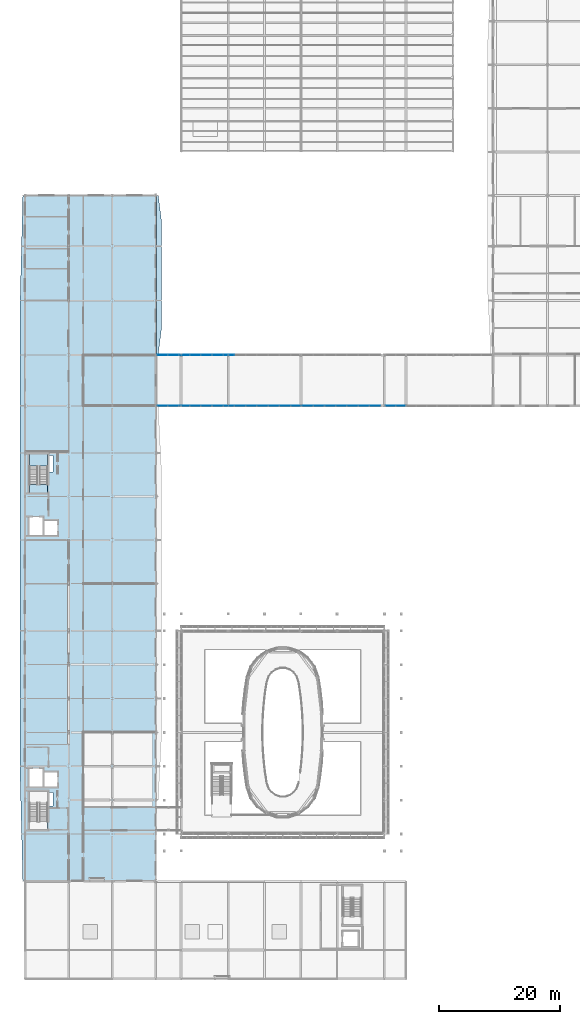
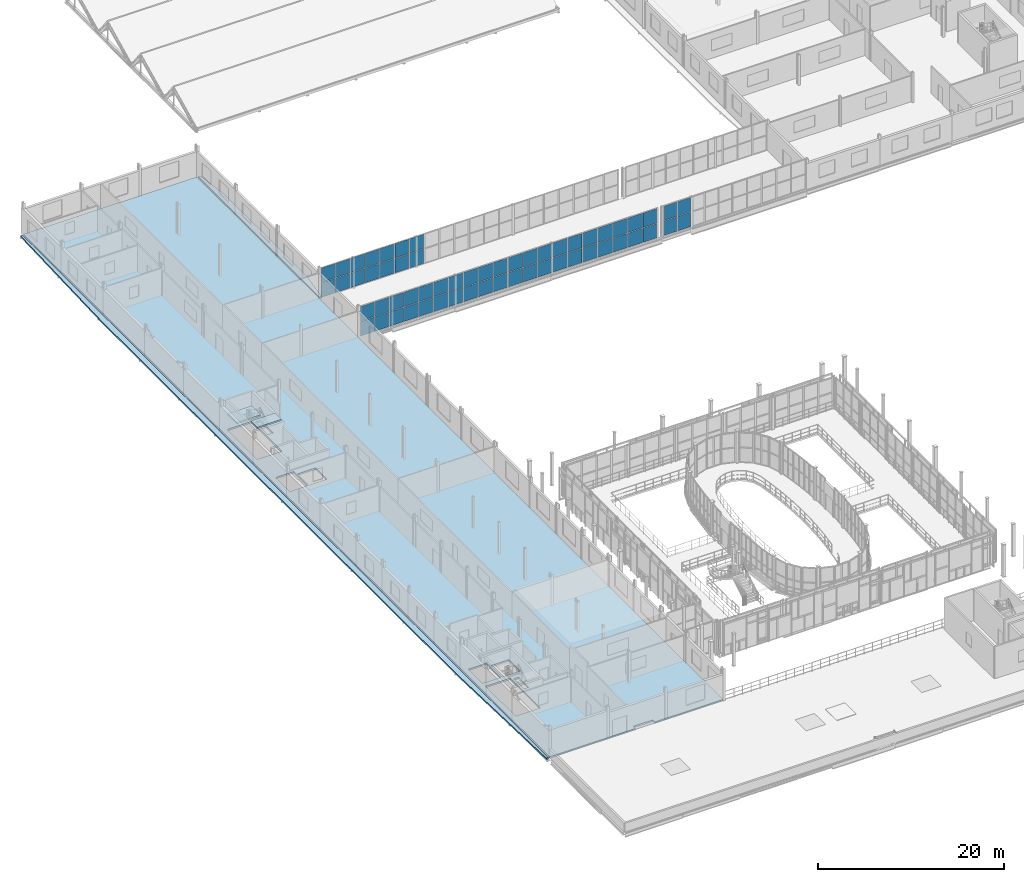
# One storey, part 101 of 138: 58 plates, 5 slabs, 8 elements without a shape of their own.
"""IFC4 building model written with IfcOpenShell, lengths in metres."""

from ifc_helpers import new_model, si_unit, direction, frame, origin, origin_2d, place, context, subcontext, project, spatial, polyline, rectangle, outline, extrude, material, layer, layer_set, type_object, element, aggregate, save


model = new_model("IFC4")

# Units and contexts
model_context = context("Model", 3, precision=1e-05, world=origin(), true_north=direction((0.0, 1.0)))
body_context = subcontext(model_context, "Body", "Model", "MODEL_VIEW")
ifc_project = project(units=[si_unit("LENGTHUNIT", "METRE"), si_unit("AREAUNIT", "SQUARE_METRE"), si_unit("VOLUMEUNIT", "CUBIC_METRE"), si_unit("PLANEANGLEUNIT", "RADIAN"), si_unit("MASSUNIT", "GRAM", prefix="KILO")], contexts=[model_context])

# Site, building, storey
site_placement = place(None, origin())
site = spatial("IfcSite", under=ifc_project, at=site_placement, CompositionType="ELEMENT")
building_placement = place(site_placement, origin())
building = spatial("IfcBuilding", under=site, at=building_placement, Name="Vinh Khe Railworks Police Headquarters", CompositionType="ELEMENT")
storey_placement = place(building_placement, frame((0.0, 0.0, 9.0)))
storey = spatial("IfcBuildingStorey", under=building, at=storey_placement, Name="L02", CompositionType="ELEMENT", Elevation=9.0)

# Slabs
ifc_material_1 = material(Name="Concrete C35/45 (B35)", Category="concrete")
ifc_layer_1 = layer(ifc_material_1, 0.199951171875)
ifc_layer_set_1 = layer_set([ifc_layer_1], Name="Concrete C35/45 (B35)")
slab_type_1 = type_object("IfcSlabType", Name="Flat Structural Roof Slab 200", PredefinedType="ROOF", material=ifc_layer_set_1)
slab_1_placement = place(storey_placement, frame((0.0, 0.0, -0.239990234375)))
element("IfcSlab", 1, at=slab_1_placement, inside=storey, type_object=slab_type_1, Name="Monsoon Window Eyebrow Hood V5W (L02)", PredefinedType="ROOF", context=body_context, shape_type="SweptSolid", body=[
    extrude(outline(polyline([(0.4599609375, 17.39990234375), (0.4599609375, 130.800048828125), (0.21142578125, 130.800048828125), (-0.25, 112.656005859375), (-0.25, 35.5439453125), (0.21142578125, 17.39990234375), (0.4599609375, 17.39990234375)])), origin(), (0.0, 0.0, 1.0), 0.199951171875),
])
slab_2_placement = place(storey_placement, frame((0.0, 0.0, -0.239990234375)))
element("IfcSlab", 2, at=slab_2_placement, inside=storey, type_object=slab_type_1, Name="Monsoon Window Eyebrow Hood V5E (L02)", PredefinedType="ROOF", context=body_context, shape_type="SweptSolid", body=[
    extrude(outline(polyline([(22.340087890625, 104.60009765625), (22.62353515625, 104.60009765625), (23.14990234375, 108.7919921875), (23.14990234375, 126.60791015625), (22.62353515625, 130.800048828125), (22.340087890625, 130.800048828125), (22.340087890625, 104.60009765625)])), origin(), (0.0, 0.0, 1.0), 0.199951171875),
])

# Curtain wall, plates
ifc_material_2 = material(Name="Anodised aluminium and solar-control glass", Category="aluminium")
ifc_layer_2 = layer(ifc_material_2, 0.159912109375)
ifc_layer_set_2 = layer_set([ifc_layer_2], Name="Anodised aluminium and solar-control glass")
curtain_wall_type = type_object("IfcCurtainWallType", Name="CW-SHOPFRONT", PredefinedType="USERDEFINED", material=ifc_layer_set_2)
curtain_wall_1_placement = place(storey_placement, origin())
curtain_wall_1 = element("IfcCurtainWall", 3, at=curtain_wall_1_placement, inside=storey, type_object=curtain_wall_type, Name="Link Bridge South Glazing L02 Bay 1", ObjectType="UNITISED GLAZING", PredefinedType="USERDEFINED")
ifc_material_3 = material(Name="Low-iron laminated solar-control glass", Category="glass")
ifc_layer_3 = layer(ifc_material_3, 0.028076171875)
ifc_layer_set_3 = layer_set([ifc_layer_3], Name="Low-iron laminated solar-control glass")
plate_type = type_object("IfcPlateType", Name="PAN-GLZ-28", PredefinedType="CURTAIN_PANEL", material=ifc_layer_set_3)
plate_1_placement = place(storey_placement, frame((23.302490234375, 96.0, 0.06005859375), z_axis=(0.0, 0.0, 1.0), x_axis=(1.0, 0.0, 0.0)))
plate_1 = element("IfcPlate", 4, at=plate_1_placement, type_object=plate_type, Name="CW-03 panel 1.1", PredefinedType="CURTAIN_PANEL", context=body_context, shape_type="SweptSolid", body=[
    extrude(rectangle(XDim=1.735107421875, YDim=0.028076171875, at=origin_2d()), origin(), (0.0, 0.0, 1.0), 1.89990234375),
])
plate_2_placement = place(storey_placement, frame((23.302490234375, 96.0, 2.02001953125), z_axis=(0.0, 0.0, 1.0), x_axis=(1.0, 0.0, 0.0)))
plate_2 = element("IfcPlate", 5, at=plate_2_placement, type_object=plate_type, Name="CW-03 panel 1.2", PredefinedType="CURTAIN_PANEL", context=body_context, shape_type="SweptSolid", body=[
    extrude(rectangle(XDim=1.735107421875, YDim=0.028076171875, at=origin_2d()), origin(), (0.0, 0.0, 1.0), 1.89990234375),
])
plate_3_placement = place(storey_placement, frame((25.112548828125, 96.0, 0.06005859375), z_axis=(0.0, 0.0, 1.0), x_axis=(1.0, 0.0, 0.0)))
plate_3 = element("IfcPlate", 6, at=plate_3_placement, type_object=plate_type, Name="CW-03 panel 2.1", PredefinedType="CURTAIN_PANEL", context=body_context, shape_type="SweptSolid", body=[
    extrude(rectangle(XDim=1.764892578125, YDim=0.028076171875, at=origin_2d()), origin(), (0.0, 0.0, 1.0), 1.89990234375),
])
plate_4_placement = place(storey_placement, frame((25.112548828125, 96.0, 2.02001953125), z_axis=(0.0, 0.0, 1.0), x_axis=(1.0, 0.0, 0.0)))
plate_4 = element("IfcPlate", 7, at=plate_4_placement, type_object=plate_type, Name="CW-03 panel 2.2", PredefinedType="CURTAIN_PANEL", context=body_context, shape_type="SweptSolid", body=[
    extrude(rectangle(XDim=1.764892578125, YDim=0.028076171875, at=origin_2d()), origin(), (0.0, 0.0, 1.0), 1.89990234375),
])
plate_5_placement = place(storey_placement, frame((26.9375, 96.0, 0.06005859375), z_axis=(0.0, 0.0, 1.0), x_axis=(1.0, 0.0, 0.0)))
plate_5 = element("IfcPlate", 8, at=plate_5_placement, type_object=plate_type, Name="CW-03 panel 3.1", PredefinedType="CURTAIN_PANEL", context=body_context, shape_type="SweptSolid", body=[
    extrude(rectangle(XDim=1.764892578125, YDim=0.028076171875, at=origin_2d()), origin(), (0.0, 0.0, 1.0), 1.89990234375),
])
plate_6_placement = place(storey_placement, frame((26.9375, 96.0, 2.02001953125), z_axis=(0.0, 0.0, 1.0), x_axis=(1.0, 0.0, 0.0)))
plate_6 = element("IfcPlate", 9, at=plate_6_placement, type_object=plate_type, Name="CW-03 panel 3.2", PredefinedType="CURTAIN_PANEL", context=body_context, shape_type="SweptSolid", body=[
    extrude(rectangle(XDim=1.764892578125, YDim=0.028076171875, at=origin_2d()), origin(), (0.0, 0.0, 1.0), 1.89990234375),
])
plate_7_placement = place(storey_placement, frame((28.762451171875, 96.0, 0.06005859375), z_axis=(0.0, 0.0, 1.0), x_axis=(1.0, 0.0, 0.0)))
plate_7 = element("IfcPlate", 10, at=plate_7_placement, type_object=plate_type, Name="CW-03 panel 4.1", PredefinedType="CURTAIN_PANEL", context=body_context, shape_type="SweptSolid", body=[
    extrude(rectangle(XDim=1.764892578125, YDim=0.028076171875, at=origin_2d()), origin(), (0.0, 0.0, 1.0), 1.89990234375),
])
plate_8_placement = place(storey_placement, frame((28.762451171875, 96.0, 2.02001953125), z_axis=(0.0, 0.0, 1.0), x_axis=(1.0, 0.0, 0.0)))
plate_8 = element("IfcPlate", 11, at=plate_8_placement, type_object=plate_type, Name="CW-03 panel 4.2", PredefinedType="CURTAIN_PANEL", context=body_context, shape_type="SweptSolid", body=[
    extrude(rectangle(XDim=1.764892578125, YDim=0.028076171875, at=origin_2d()), origin(), (0.0, 0.0, 1.0), 1.89990234375),
])
plate_9_placement = place(storey_placement, frame((30.572509765625, 96.0, 0.06005859375), z_axis=(0.0, 0.0, 1.0), x_axis=(1.0, 0.0, 0.0)))
plate_9 = element("IfcPlate", 12, at=plate_9_placement, type_object=plate_type, Name="CW-03 panel 5.1", PredefinedType="CURTAIN_PANEL", context=body_context, shape_type="SweptSolid", body=[
    extrude(rectangle(XDim=1.735107421875, YDim=0.028076171875, at=origin_2d()), origin(), (0.0, 0.0, 1.0), 1.89990234375),
])
plate_10_placement = place(storey_placement, frame((30.572509765625, 96.0, 2.02001953125), z_axis=(0.0, 0.0, 1.0), x_axis=(1.0, 0.0, 0.0)))
plate_10 = element("IfcPlate", 13, at=plate_10_placement, type_object=plate_type, Name="CW-03 panel 5.2", PredefinedType="CURTAIN_PANEL", context=body_context, shape_type="SweptSolid", body=[
    extrude(rectangle(XDim=1.735107421875, YDim=0.028076171875, at=origin_2d()), origin(), (0.0, 0.0, 1.0), 1.89990234375),
])
aggregate(curtain_wall_1, [plate_1, plate_2, plate_3, plate_4, plate_5, plate_6, plate_7, plate_8, plate_9, plate_10])

curtain_wall_2_placement = place(storey_placement, origin())
curtain_wall_2 = element("IfcCurtainWall", 14, at=curtain_wall_2_placement, inside=storey, type_object=curtain_wall_type, Name="Link Bridge North Glazing L02 Bay 1", ObjectType="UNITISED GLAZING", PredefinedType="USERDEFINED")
plate_11_placement = place(storey_placement, frame((23.29345703125, 104.39990234375, 0.06005859375), z_axis=(0.0, 0.0, 1.0), x_axis=(1.0, 0.0, 0.0)))
plate_11 = element("IfcPlate", 15, at=plate_11_placement, type_object=plate_type, Name="CW-03 panel 1.1", PredefinedType="CURTAIN_PANEL", context=body_context, shape_type="SweptSolid", body=[
    extrude(rectangle(XDim=1.737060546875, YDim=0.028076171875, at=origin_2d()), origin(), (0.0, 0.0, 1.0), 1.89990234375),
])
plate_12_placement = place(storey_placement, frame((23.29345703125, 104.39990234375, 2.02001953125), z_axis=(0.0, 0.0, 1.0), x_axis=(1.0, 0.0, 0.0)))
plate_12 = element("IfcPlate", 16, at=plate_12_placement, type_object=plate_type, Name="CW-03 panel 1.2", PredefinedType="CURTAIN_PANEL", context=body_context, shape_type="SweptSolid", body=[
    extrude(rectangle(XDim=1.737060546875, YDim=0.028076171875, at=origin_2d()), origin(), (0.0, 0.0, 1.0), 1.89990234375),
])
plate_13_placement = place(storey_placement, frame((25.10546875, 104.39990234375, 0.06005859375), z_axis=(0.0, 0.0, 1.0), x_axis=(1.0, 0.0, 0.0)))
plate_13 = element("IfcPlate", 17, at=plate_13_placement, type_object=plate_type, Name="CW-03 panel 2.1", PredefinedType="CURTAIN_PANEL", context=body_context, shape_type="SweptSolid", body=[
    extrude(rectangle(XDim=1.76708984375, YDim=0.028076171875, at=origin_2d()), origin(), (0.0, 0.0, 1.0), 1.89990234375),
])
plate_14_placement = place(storey_placement, frame((25.10546875, 104.39990234375, 2.02001953125), z_axis=(0.0, 0.0, 1.0), x_axis=(1.0, 0.0, 0.0)))
plate_14 = element("IfcPlate", 18, at=plate_14_placement, type_object=plate_type, Name="CW-03 panel 2.2", PredefinedType="CURTAIN_PANEL", context=body_context, shape_type="SweptSolid", body=[
    extrude(rectangle(XDim=1.76708984375, YDim=0.028076171875, at=origin_2d()), origin(), (0.0, 0.0, 1.0), 1.89990234375),
])
plate_15_placement = place(storey_placement, frame((26.9326171875, 104.39990234375, 0.06005859375), z_axis=(0.0, 0.0, 1.0), x_axis=(1.0, 0.0, 0.0)))
plate_15 = element("IfcPlate", 19, at=plate_15_placement, type_object=plate_type, Name="CW-03 panel 3.1", PredefinedType="CURTAIN_PANEL", context=body_context, shape_type="SweptSolid", body=[
    extrude(rectangle(XDim=1.76708984375, YDim=0.028076171875, at=origin_2d()), origin(), (0.0, 0.0, 1.0), 1.89990234375),
])
plate_16_placement = place(storey_placement, frame((26.9326171875, 104.39990234375, 2.02001953125), z_axis=(0.0, 0.0, 1.0), x_axis=(1.0, 0.0, 0.0)))
plate_16 = element("IfcPlate", 20, at=plate_16_placement, type_object=plate_type, Name="CW-03 panel 3.2", PredefinedType="CURTAIN_PANEL", context=body_context, shape_type="SweptSolid", body=[
    extrude(rectangle(XDim=1.76708984375, YDim=0.028076171875, at=origin_2d()), origin(), (0.0, 0.0, 1.0), 1.89990234375),
])
plate_17_placement = place(storey_placement, frame((28.759521484375, 104.39990234375, 0.06005859375), z_axis=(0.0, 0.0, 1.0), x_axis=(1.0, 0.0, 0.0)))
plate_17 = element("IfcPlate", 21, at=plate_17_placement, type_object=plate_type, Name="CW-03 panel 4.1", PredefinedType="CURTAIN_PANEL", context=body_context, shape_type="SweptSolid", body=[
    extrude(rectangle(XDim=1.76708984375, YDim=0.028076171875, at=origin_2d()), origin(), (0.0, 0.0, 1.0), 1.89990234375),
])
plate_18_placement = place(storey_placement, frame((28.759521484375, 104.39990234375, 2.02001953125), z_axis=(0.0, 0.0, 1.0), x_axis=(1.0, 0.0, 0.0)))
plate_18 = element("IfcPlate", 22, at=plate_18_placement, type_object=plate_type, Name="CW-03 panel 4.2", PredefinedType="CURTAIN_PANEL", context=body_context, shape_type="SweptSolid", body=[
    extrude(rectangle(XDim=1.76708984375, YDim=0.028076171875, at=origin_2d()), origin(), (0.0, 0.0, 1.0), 1.89990234375),
])
plate_19_placement = place(storey_placement, frame((30.571533203125, 104.39990234375, 0.06005859375), z_axis=(0.0, 0.0, 1.0), x_axis=(1.0, 0.0, 0.0)))
plate_19 = element("IfcPlate", 23, at=plate_19_placement, type_object=plate_type, Name="CW-03 panel 5.1", PredefinedType="CURTAIN_PANEL", context=body_context, shape_type="SweptSolid", body=[
    extrude(rectangle(XDim=1.737060546875, YDim=0.028076171875, at=origin_2d()), origin(), (0.0, 0.0, 1.0), 1.89990234375),
])
plate_20_placement = place(storey_placement, frame((30.571533203125, 104.39990234375, 2.02001953125), z_axis=(0.0, 0.0, 1.0), x_axis=(1.0, 0.0, 0.0)))
plate_20 = element("IfcPlate", 24, at=plate_20_placement, type_object=plate_type, Name="CW-03 panel 5.2", PredefinedType="CURTAIN_PANEL", context=body_context, shape_type="SweptSolid", body=[
    extrude(rectangle(XDim=1.737060546875, YDim=0.028076171875, at=origin_2d()), origin(), (0.0, 0.0, 1.0), 1.89990234375),
])
aggregate(curtain_wall_2, [plate_11, plate_12, plate_13, plate_14, plate_15, plate_16, plate_17, plate_18, plate_19, plate_20])

curtain_wall_3_placement = place(storey_placement, origin())
curtain_wall_3 = element("IfcCurtainWall", 25, at=curtain_wall_3_placement, inside=storey, type_object=curtain_wall_type, Name="Link Bridge South Glazing L02 Bay 2", ObjectType="UNITISED GLAZING", PredefinedType="USERDEFINED")
plate_21_placement = place(storey_placement, frame((32.445068359375, 96.0, 0.06005859375), z_axis=(0.0, 0.0, 1.0), x_axis=(1.0, 0.0, 0.0)))
plate_21 = element("IfcPlate", 26, at=plate_21_placement, type_object=plate_type, Name="CW-03 panel 1.1", PredefinedType="CURTAIN_PANEL", context=body_context, shape_type="SweptSolid", body=[
    extrude(rectangle(XDim=1.77001953125, YDim=0.028076171875, at=origin_2d()), origin(), (0.0, 0.0, 1.0), 1.89990234375),
])
plate_22_placement = place(storey_placement, frame((32.445068359375, 96.0, 2.02001953125), z_axis=(0.0, 0.0, 1.0), x_axis=(1.0, 0.0, 0.0)))
plate_22 = element("IfcPlate", 27, at=plate_22_placement, type_object=plate_type, Name="CW-03 panel 1.2", PredefinedType="CURTAIN_PANEL", context=body_context, shape_type="SweptSolid", body=[
    extrude(rectangle(XDim=1.77001953125, YDim=0.028076171875, at=origin_2d()), origin(), (0.0, 0.0, 1.0), 1.89990234375),
])
plate_23_placement = place(storey_placement, frame((34.2900390625, 96.0, 0.06005859375), z_axis=(0.0, 0.0, 1.0), x_axis=(1.0, 0.0, 0.0)))
plate_23 = element("IfcPlate", 28, at=plate_23_placement, type_object=plate_type, Name="CW-03 panel 2.1", PredefinedType="CURTAIN_PANEL", context=body_context, shape_type="SweptSolid", body=[
    extrude(rectangle(XDim=1.800048828125, YDim=0.028076171875, at=origin_2d()), origin(), (0.0, 0.0, 1.0), 1.89990234375),
])
plate_24_placement = place(storey_placement, frame((34.2900390625, 96.0, 2.02001953125), z_axis=(0.0, 0.0, 1.0), x_axis=(1.0, 0.0, 0.0)))
plate_24 = element("IfcPlate", 29, at=plate_24_placement, type_object=plate_type, Name="CW-03 panel 2.2", PredefinedType="CURTAIN_PANEL", context=body_context, shape_type="SweptSolid", body=[
    extrude(rectangle(XDim=1.800048828125, YDim=0.028076171875, at=origin_2d()), origin(), (0.0, 0.0, 1.0), 1.89990234375),
])
plate_25_placement = place(storey_placement, frame((36.14990234375, 96.0, 0.06005859375), z_axis=(0.0, 0.0, 1.0), x_axis=(1.0, 0.0, 0.0)))
plate_25 = element("IfcPlate", 30, at=plate_25_placement, type_object=plate_type, Name="CW-03 panel 3.1", PredefinedType="CURTAIN_PANEL", context=body_context, shape_type="SweptSolid", body=[
    extrude(rectangle(XDim=1.800048828125, YDim=0.028076171875, at=origin_2d()), origin(), (0.0, 0.0, 1.0), 1.89990234375),
])
plate_26_placement = place(storey_placement, frame((36.14990234375, 96.0, 2.02001953125), z_axis=(0.0, 0.0, 1.0), x_axis=(1.0, 0.0, 0.0)))
plate_26 = element("IfcPlate", 31, at=plate_26_placement, type_object=plate_type, Name="CW-03 panel 3.2", PredefinedType="CURTAIN_PANEL", context=body_context, shape_type="SweptSolid", body=[
    extrude(rectangle(XDim=1.800048828125, YDim=0.028076171875, at=origin_2d()), origin(), (0.0, 0.0, 1.0), 1.89990234375),
])
plate_27_placement = place(storey_placement, frame((38.010009765625, 96.0, 0.06005859375), z_axis=(0.0, 0.0, 1.0), x_axis=(1.0, 0.0, 0.0)))
plate_27 = element("IfcPlate", 32, at=plate_27_placement, type_object=plate_type, Name="CW-03 panel 4.1", PredefinedType="CURTAIN_PANEL", context=body_context, shape_type="SweptSolid", body=[
    extrude(rectangle(XDim=1.800048828125, YDim=0.028076171875, at=origin_2d()), origin(), (0.0, 0.0, 1.0), 1.89990234375),
])
plate_28_placement = place(storey_placement, frame((38.010009765625, 96.0, 2.02001953125), z_axis=(0.0, 0.0, 1.0), x_axis=(1.0, 0.0, 0.0)))
plate_28 = element("IfcPlate", 33, at=plate_28_placement, type_object=plate_type, Name="CW-03 panel 4.2", PredefinedType="CURTAIN_PANEL", context=body_context, shape_type="SweptSolid", body=[
    extrude(rectangle(XDim=1.800048828125, YDim=0.028076171875, at=origin_2d()), origin(), (0.0, 0.0, 1.0), 1.89990234375),
])
plate_29_placement = place(storey_placement, frame((39.85498046875, 96.0, 0.06005859375), z_axis=(0.0, 0.0, 1.0), x_axis=(1.0, 0.0, 0.0)))
plate_29 = element("IfcPlate", 34, at=plate_29_placement, type_object=plate_type, Name="CW-03 panel 5.1", PredefinedType="CURTAIN_PANEL", context=body_context, shape_type="SweptSolid", body=[
    extrude(rectangle(XDim=1.77001953125, YDim=0.028076171875, at=origin_2d()), origin(), (0.0, 0.0, 1.0), 1.89990234375),
])
plate_30_placement = place(storey_placement, frame((39.85498046875, 96.0, 2.02001953125), z_axis=(0.0, 0.0, 1.0), x_axis=(1.0, 0.0, 0.0)))
plate_30 = element("IfcPlate", 35, at=plate_30_placement, type_object=plate_type, Name="CW-03 panel 5.2", PredefinedType="CURTAIN_PANEL", context=body_context, shape_type="SweptSolid", body=[
    extrude(rectangle(XDim=1.77001953125, YDim=0.028076171875, at=origin_2d()), origin(), (0.0, 0.0, 1.0), 1.89990234375),
])
aggregate(curtain_wall_3, [plate_21, plate_22, plate_23, plate_24, plate_25, plate_26, plate_27, plate_28, plate_29, plate_30])

curtain_wall_4_placement = place(storey_placement, origin())
curtain_wall_4 = element("IfcCurtainWall", 36, at=curtain_wall_4_placement, inside=storey, type_object=curtain_wall_type, Name="Link Bridge North Glazing L02 Bay 2", ObjectType="UNITISED GLAZING", PredefinedType="USERDEFINED")
plate_31_placement = place(storey_placement, frame((32.445068359375, 104.39990234375, 0.06005859375), z_axis=(0.0, 0.0, 1.0), x_axis=(1.0, 0.0, 0.0)))
plate_31 = element("IfcPlate", 37, at=plate_31_placement, type_object=plate_type, Name="CW-03 panel 1.1", PredefinedType="CURTAIN_PANEL", context=body_context, shape_type="SweptSolid", body=[
    extrude(rectangle(XDim=1.77001953125, YDim=0.028076171875, at=origin_2d()), origin(), (0.0, 0.0, 1.0), 1.89990234375),
])
plate_32_placement = place(storey_placement, frame((32.445068359375, 104.39990234375, 2.02001953125), z_axis=(0.0, 0.0, 1.0), x_axis=(1.0, 0.0, 0.0)))
plate_32 = element("IfcPlate", 38, at=plate_32_placement, type_object=plate_type, Name="CW-03 panel 1.2", PredefinedType="CURTAIN_PANEL", context=body_context, shape_type="SweptSolid", body=[
    extrude(rectangle(XDim=1.77001953125, YDim=0.028076171875, at=origin_2d()), origin(), (0.0, 0.0, 1.0), 1.89990234375),
])
plate_33_placement = place(storey_placement, frame((34.2900390625, 104.39990234375, 0.06005859375), z_axis=(0.0, 0.0, 1.0), x_axis=(1.0, 0.0, 0.0)))
plate_33 = element("IfcPlate", 39, at=plate_33_placement, type_object=plate_type, Name="CW-03 panel 2.1", PredefinedType="CURTAIN_PANEL", context=body_context, shape_type="SweptSolid", body=[
    extrude(rectangle(XDim=1.800048828125, YDim=0.028076171875, at=origin_2d()), origin(), (0.0, 0.0, 1.0), 1.89990234375),
])
plate_34_placement = place(storey_placement, frame((34.2900390625, 104.39990234375, 2.02001953125), z_axis=(0.0, 0.0, 1.0), x_axis=(1.0, 0.0, 0.0)))
plate_34 = element("IfcPlate", 40, at=plate_34_placement, type_object=plate_type, Name="CW-03 panel 2.2", PredefinedType="CURTAIN_PANEL", context=body_context, shape_type="SweptSolid", body=[
    extrude(rectangle(XDim=1.800048828125, YDim=0.028076171875, at=origin_2d()), origin(), (0.0, 0.0, 1.0), 1.89990234375),
])
aggregate(curtain_wall_4, [plate_31, plate_32, plate_33, plate_34])

curtain_wall_5_placement = place(storey_placement, origin())
curtain_wall_5 = element("IfcCurtainWall", 41, at=curtain_wall_5_placement, inside=storey, type_object=curtain_wall_type, Name="Link Bridge South Glazing L02 Bay 3", ObjectType="UNITISED GLAZING", PredefinedType="USERDEFINED")
plate_35_placement = place(storey_placement, frame((41.7451171875, 96.0, 0.06005859375), z_axis=(0.0, 0.0, 1.0), x_axis=(1.0, 0.0, 0.0)))
plate_35 = element("IfcPlate", 42, at=plate_35_placement, type_object=plate_type, Name="CW-03 panel 1.1", PredefinedType="CURTAIN_PANEL", context=body_context, shape_type="SweptSolid", body=[
    extrude(rectangle(XDim=1.77001953125, YDim=0.028076171875, at=origin_2d()), origin(), (0.0, 0.0, 1.0), 1.89990234375),
])
plate_36_placement = place(storey_placement, frame((41.7451171875, 96.0, 2.02001953125), z_axis=(0.0, 0.0, 1.0), x_axis=(1.0, 0.0, 0.0)))
plate_36 = element("IfcPlate", 43, at=plate_36_placement, type_object=plate_type, Name="CW-03 panel 1.2", PredefinedType="CURTAIN_PANEL", context=body_context, shape_type="SweptSolid", body=[
    extrude(rectangle(XDim=1.77001953125, YDim=0.028076171875, at=origin_2d()), origin(), (0.0, 0.0, 1.0), 1.89990234375),
])
plate_37_placement = place(storey_placement, frame((43.590087890625, 96.0, 0.06005859375), z_axis=(0.0, 0.0, 1.0), x_axis=(1.0, 0.0, 0.0)))
plate_37 = element("IfcPlate", 44, at=plate_37_placement, type_object=plate_type, Name="CW-03 panel 2.1", PredefinedType="CURTAIN_PANEL", context=body_context, shape_type="SweptSolid", body=[
    extrude(rectangle(XDim=1.800048828125, YDim=0.028076171875, at=origin_2d()), origin(), (0.0, 0.0, 1.0), 1.89990234375),
])
plate_38_placement = place(storey_placement, frame((43.590087890625, 96.0, 2.02001953125), z_axis=(0.0, 0.0, 1.0), x_axis=(1.0, 0.0, 0.0)))
plate_38 = element("IfcPlate", 45, at=plate_38_placement, type_object=plate_type, Name="CW-03 panel 2.2", PredefinedType="CURTAIN_PANEL", context=body_context, shape_type="SweptSolid", body=[
    extrude(rectangle(XDim=1.800048828125, YDim=0.028076171875, at=origin_2d()), origin(), (0.0, 0.0, 1.0), 1.89990234375),
])
plate_39_placement = place(storey_placement, frame((45.449951171875, 96.0, 0.06005859375), z_axis=(0.0, 0.0, 1.0), x_axis=(1.0, 0.0, 0.0)))
plate_39 = element("IfcPlate", 46, at=plate_39_placement, type_object=plate_type, Name="CW-03 panel 3.1", PredefinedType="CURTAIN_PANEL", context=body_context, shape_type="SweptSolid", body=[
    extrude(rectangle(XDim=1.800048828125, YDim=0.028076171875, at=origin_2d()), origin(), (0.0, 0.0, 1.0), 1.89990234375),
])
plate_40_placement = place(storey_placement, frame((45.449951171875, 96.0, 2.02001953125), z_axis=(0.0, 0.0, 1.0), x_axis=(1.0, 0.0, 0.0)))
plate_40 = element("IfcPlate", 47, at=plate_40_placement, type_object=plate_type, Name="CW-03 panel 3.2", PredefinedType="CURTAIN_PANEL", context=body_context, shape_type="SweptSolid", body=[
    extrude(rectangle(XDim=1.800048828125, YDim=0.028076171875, at=origin_2d()), origin(), (0.0, 0.0, 1.0), 1.89990234375),
])
plate_41_placement = place(storey_placement, frame((47.31005859375, 96.0, 0.06005859375), z_axis=(0.0, 0.0, 1.0), x_axis=(1.0, 0.0, 0.0)))
plate_41 = element("IfcPlate", 48, at=plate_41_placement, type_object=plate_type, Name="CW-03 panel 4.1", PredefinedType="CURTAIN_PANEL", context=body_context, shape_type="SweptSolid", body=[
    extrude(rectangle(XDim=1.800048828125, YDim=0.028076171875, at=origin_2d()), origin(), (0.0, 0.0, 1.0), 1.89990234375),
])
plate_42_placement = place(storey_placement, frame((47.31005859375, 96.0, 2.02001953125), z_axis=(0.0, 0.0, 1.0), x_axis=(1.0, 0.0, 0.0)))
plate_42 = element("IfcPlate", 49, at=plate_42_placement, type_object=plate_type, Name="CW-03 panel 4.2", PredefinedType="CURTAIN_PANEL", context=body_context, shape_type="SweptSolid", body=[
    extrude(rectangle(XDim=1.800048828125, YDim=0.028076171875, at=origin_2d()), origin(), (0.0, 0.0, 1.0), 1.89990234375),
])
plate_43_placement = place(storey_placement, frame((49.155029296875, 96.0, 0.06005859375), z_axis=(0.0, 0.0, 1.0), x_axis=(1.0, 0.0, 0.0)))
plate_43 = element("IfcPlate", 50, at=plate_43_placement, type_object=plate_type, Name="CW-03 panel 5.1", PredefinedType="CURTAIN_PANEL", context=body_context, shape_type="SweptSolid", body=[
    extrude(rectangle(XDim=1.77001953125, YDim=0.028076171875, at=origin_2d()), origin(), (0.0, 0.0, 1.0), 1.89990234375),
])
plate_44_placement = place(storey_placement, frame((49.155029296875, 96.0, 2.02001953125), z_axis=(0.0, 0.0, 1.0), x_axis=(1.0, 0.0, 0.0)))
plate_44 = element("IfcPlate", 51, at=plate_44_placement, type_object=plate_type, Name="CW-03 panel 5.2", PredefinedType="CURTAIN_PANEL", context=body_context, shape_type="SweptSolid", body=[
    extrude(rectangle(XDim=1.77001953125, YDim=0.028076171875, at=origin_2d()), origin(), (0.0, 0.0, 1.0), 1.89990234375),
])
aggregate(curtain_wall_5, [plate_35, plate_36, plate_37, plate_38, plate_39, plate_40, plate_41, plate_42, plate_43, plate_44])

curtain_wall_6_placement = place(storey_placement, origin())
curtain_wall_6 = element("IfcCurtainWall", 52, at=curtain_wall_6_placement, inside=storey, type_object=curtain_wall_type, Name="Link Bridge South Glazing L02 Bay 4", ObjectType="UNITISED GLAZING", PredefinedType="USERDEFINED")
plate_45_placement = place(storey_placement, frame((51.044921875, 96.0, 0.06005859375), z_axis=(0.0, 0.0, 1.0), x_axis=(1.0, 0.0, 0.0)))
plate_45 = element("IfcPlate", 53, at=plate_45_placement, type_object=plate_type, Name="CW-03 panel 1.1", PredefinedType="CURTAIN_PANEL", context=body_context, shape_type="SweptSolid", body=[
    extrude(rectangle(XDim=1.77001953125, YDim=0.028076171875, at=origin_2d()), origin(), (0.0, 0.0, 1.0), 1.89990234375),
])
plate_46_placement = place(storey_placement, frame((51.044921875, 96.0, 2.02001953125), z_axis=(0.0, 0.0, 1.0), x_axis=(1.0, 0.0, 0.0)))
plate_46 = element("IfcPlate", 54, at=plate_46_placement, type_object=plate_type, Name="CW-03 panel 1.2", PredefinedType="CURTAIN_PANEL", context=body_context, shape_type="SweptSolid", body=[
    extrude(rectangle(XDim=1.77001953125, YDim=0.028076171875, at=origin_2d()), origin(), (0.0, 0.0, 1.0), 1.89990234375),
])
plate_47_placement = place(storey_placement, frame((52.889892578125, 96.0, 0.06005859375), z_axis=(0.0, 0.0, 1.0), x_axis=(1.0, 0.0, 0.0)))
plate_47 = element("IfcPlate", 55, at=plate_47_placement, type_object=plate_type, Name="CW-03 panel 2.1", PredefinedType="CURTAIN_PANEL", context=body_context, shape_type="SweptSolid", body=[
    extrude(rectangle(XDim=1.800048828125, YDim=0.028076171875, at=origin_2d()), origin(), (0.0, 0.0, 1.0), 1.89990234375),
])
plate_48_placement = place(storey_placement, frame((52.889892578125, 96.0, 2.02001953125), z_axis=(0.0, 0.0, 1.0), x_axis=(1.0, 0.0, 0.0)))
plate_48 = element("IfcPlate", 56, at=plate_48_placement, type_object=plate_type, Name="CW-03 panel 2.2", PredefinedType="CURTAIN_PANEL", context=body_context, shape_type="SweptSolid", body=[
    extrude(rectangle(XDim=1.800048828125, YDim=0.028076171875, at=origin_2d()), origin(), (0.0, 0.0, 1.0), 1.89990234375),
])
plate_49_placement = place(storey_placement, frame((54.75, 96.0, 0.06005859375), z_axis=(0.0, 0.0, 1.0), x_axis=(1.0, 0.0, 0.0)))
plate_49 = element("IfcPlate", 57, at=plate_49_placement, type_object=plate_type, Name="CW-03 panel 3.1", PredefinedType="CURTAIN_PANEL", context=body_context, shape_type="SweptSolid", body=[
    extrude(rectangle(XDim=1.800048828125, YDim=0.028076171875, at=origin_2d()), origin(), (0.0, 0.0, 1.0), 1.89990234375),
])
plate_50_placement = place(storey_placement, frame((54.75, 96.0, 2.02001953125), z_axis=(0.0, 0.0, 1.0), x_axis=(1.0, 0.0, 0.0)))
plate_50 = element("IfcPlate", 58, at=plate_50_placement, type_object=plate_type, Name="CW-03 panel 3.2", PredefinedType="CURTAIN_PANEL", context=body_context, shape_type="SweptSolid", body=[
    extrude(rectangle(XDim=1.800048828125, YDim=0.028076171875, at=origin_2d()), origin(), (0.0, 0.0, 1.0), 1.89990234375),
])
plate_51_placement = place(storey_placement, frame((56.610107421875, 96.0, 0.06005859375), z_axis=(0.0, 0.0, 1.0), x_axis=(1.0, 0.0, 0.0)))
plate_51 = element("IfcPlate", 59, at=plate_51_placement, type_object=plate_type, Name="CW-03 panel 4.1", PredefinedType="CURTAIN_PANEL", context=body_context, shape_type="SweptSolid", body=[
    extrude(rectangle(XDim=1.800048828125, YDim=0.028076171875, at=origin_2d()), origin(), (0.0, 0.0, 1.0), 1.89990234375),
])
plate_52_placement = place(storey_placement, frame((56.610107421875, 96.0, 2.02001953125), z_axis=(0.0, 0.0, 1.0), x_axis=(1.0, 0.0, 0.0)))
plate_52 = element("IfcPlate", 60, at=plate_52_placement, type_object=plate_type, Name="CW-03 panel 4.2", PredefinedType="CURTAIN_PANEL", context=body_context, shape_type="SweptSolid", body=[
    extrude(rectangle(XDim=1.800048828125, YDim=0.028076171875, at=origin_2d()), origin(), (0.0, 0.0, 1.0), 1.89990234375),
])
plate_53_placement = place(storey_placement, frame((58.455078125, 96.0, 0.06005859375), z_axis=(0.0, 0.0, 1.0), x_axis=(1.0, 0.0, 0.0)))
plate_53 = element("IfcPlate", 61, at=plate_53_placement, type_object=plate_type, Name="CW-03 panel 5.1", PredefinedType="CURTAIN_PANEL", context=body_context, shape_type="SweptSolid", body=[
    extrude(rectangle(XDim=1.77001953125, YDim=0.028076171875, at=origin_2d()), origin(), (0.0, 0.0, 1.0), 1.89990234375),
])
plate_54_placement = place(storey_placement, frame((58.455078125, 96.0, 2.02001953125), z_axis=(0.0, 0.0, 1.0), x_axis=(1.0, 0.0, 0.0)))
plate_54 = element("IfcPlate", 62, at=plate_54_placement, type_object=plate_type, Name="CW-03 panel 5.2", PredefinedType="CURTAIN_PANEL", context=body_context, shape_type="SweptSolid", body=[
    extrude(rectangle(XDim=1.77001953125, YDim=0.028076171875, at=origin_2d()), origin(), (0.0, 0.0, 1.0), 1.89990234375),
])
aggregate(curtain_wall_6, [plate_45, plate_46, plate_47, plate_48, plate_49, plate_50, plate_51, plate_52, plate_53, plate_54])

curtain_wall_7_placement = place(storey_placement, origin())
curtain_wall_7 = element("IfcCurtainWall", 63, at=curtain_wall_7_placement, inside=storey, type_object=curtain_wall_type, Name="Link Bridge South Glazing L02 Bay 5", ObjectType="UNITISED GLAZING", PredefinedType="USERDEFINED")
plate_55_placement = place(storey_placement, frame((61.010986328125, 96.0, 0.06005859375), z_axis=(0.0, 0.0, 1.0), x_axis=(1.0, 0.0, 0.0)))
plate_55 = element("IfcPlate", 64, at=plate_55_placement, type_object=plate_type, Name="CW-03 panel 1.1", PredefinedType="CURTAIN_PANEL", context=body_context, shape_type="SweptSolid", body=[
    extrude(rectangle(XDim=1.6220703125, YDim=0.028076171875, at=origin_2d()), origin(), (0.0, 0.0, 1.0), 1.89990234375),
])
plate_56_placement = place(storey_placement, frame((61.010986328125, 96.0, 2.02001953125), z_axis=(0.0, 0.0, 1.0), x_axis=(1.0, 0.0, 0.0)))
plate_56 = element("IfcPlate", 65, at=plate_56_placement, type_object=plate_type, Name="CW-03 panel 1.2", PredefinedType="CURTAIN_PANEL", context=body_context, shape_type="SweptSolid", body=[
    extrude(rectangle(XDim=1.6220703125, YDim=0.028076171875, at=origin_2d()), origin(), (0.0, 0.0, 1.0), 1.89990234375),
])
plate_57_placement = place(storey_placement, frame((62.7080078125, 96.0, 0.06005859375), z_axis=(0.0, 0.0, 1.0), x_axis=(1.0, 0.0, 0.0)))
plate_57 = element("IfcPlate", 66, at=plate_57_placement, type_object=plate_type, Name="CW-03 panel 2.1", PredefinedType="CURTAIN_PANEL", context=body_context, shape_type="SweptSolid", body=[
    extrude(rectangle(XDim=1.652099609375, YDim=0.028076171875, at=origin_2d()), origin(), (0.0, 0.0, 1.0), 1.89990234375),
])
plate_58_placement = place(storey_placement, frame((62.7080078125, 96.0, 2.02001953125), z_axis=(0.0, 0.0, 1.0), x_axis=(1.0, 0.0, 0.0)))
plate_58 = element("IfcPlate", 67, at=plate_58_placement, type_object=plate_type, Name="CW-03 panel 2.2", PredefinedType="CURTAIN_PANEL", context=body_context, shape_type="SweptSolid", body=[
    extrude(rectangle(XDim=1.652099609375, YDim=0.028076171875, at=origin_2d()), origin(), (0.0, 0.0, 1.0), 1.89990234375),
])
aggregate(curtain_wall_7, [plate_55, plate_56, plate_57, plate_58])

# Stair, slabs
ifc_material_4 = material(Name="Precast concrete C40/50 (B40)", Category="concrete")
stair_type = type_object("IfcStairType", Name="ST-CORE-DOGLEG", PredefinedType="HALF_TURN_STAIR", material=ifc_material_4)
stair_placement = place(storey_placement, origin())
stair = element("IfcStair", 68, at=stair_placement, inside=storey, type_object=stair_type, Name="L02 Escape Stair ST-02", PredefinedType="HALF_TURN_STAIR")
ifc_layer_4 = layer(ifc_material_1, 0.199951171875)
ifc_layer_set_4 = layer_set([ifc_layer_4], Name="Concrete C35/45 (B35)")
slab_type_2 = type_object("IfcSlabType", Name="SLB-LAND-200", PredefinedType="LANDING", material=ifc_layer_set_4)
slab_3_placement = place(storey_placement, frame((0.0, 0.0, 1.89990234375)))
slab_3 = element("IfcSlab", 69, at=slab_3_placement, type_object=slab_type_2, Name="ST-02 landing 1", PredefinedType="LANDING", context=body_context, shape_type="SweptSolid", body=[
    extrude(outline(polyline([(4.300048828125, 86.030029296875), (4.300048828125, 88.0), (1.300048828125, 88.0), (1.300048828125, 86.030029296875), (4.300048828125, 86.030029296875)])), origin(), (0.0, 0.0, 1.0), 0.2001953125),
])
slab_4_placement = place(storey_placement, frame((0.0, 0.0, 4.0)))
slab_4 = element("IfcSlab", 70, at=slab_4_placement, type_object=slab_type_2, Name="ST-02 landing 2", PredefinedType="LANDING", context=body_context, shape_type="SweptSolid", body=[
    extrude(outline(polyline([(1.280029296875, 81.580078125), (4.320068359375, 81.580078125), (4.320068359375, 82.9599609375), (1.280029296875, 82.9599609375), (1.280029296875, 81.580078125)])), origin(), (0.0, 0.0, 1.0), 0.199951171875),
])
aggregate(stair, [slab_3, slab_4])

# Slab
ifc_layer_5 = layer(ifc_material_1, 0.219970703125)
ifc_layer_set_5 = layer_set([ifc_layer_5], Name="Concrete C35/45 (B35)")
slab_type_3 = type_object("IfcSlabType", Name="Suspended Floor Slab 220", PredefinedType="FLOOR", material=ifc_layer_set_5)
slab_5_placement = place(storey_placement, frame((0.0, 0.0, -0.219970703125)))
element("IfcSlab", 71, at=slab_5_placement, inside=storey, type_object=slab_type_3, Name="V5 Floor Slab (L02)", PredefinedType="FLOOR", context=body_context, shape_type="SweptSolid", body=[
    extrude(outline(polyline([(0.60009765625, 17.39990234375), (11.300048828125, 17.39990234375), (11.300048828125, 17.85009765625), (13.699951171875, 17.85009765625), (13.699951171875, 17.39990234375), (22.199951171875, 17.39990234375), (22.199951171875, 130.800048828125), (0.60009765625, 130.800048828125), (0.60009765625, 17.39990234375)]), holes=[polyline([(1.27001953125, 25.8701171875), (4.330078125, 25.8701171875), (4.330078125, 32.330078125), (1.27001953125, 32.330078125), (1.27001953125, 25.8701171875)]), polyline([(1.280029296875, 32.97998046875), (3.52001953125, 32.97998046875), (3.52001953125, 36.02001953125), (1.280029296875, 36.02001953125), (1.280029296875, 32.97998046875)]), polyline([(3.679931640625, 32.97998046875), (5.919921875, 32.97998046875), (5.919921875, 35.419921875), (3.679931640625, 35.419921875), (3.679931640625, 32.97998046875)]), polyline([(1.27001953125, 81.570068359375), (4.330078125, 81.570068359375), (4.330078125, 88.030029296875), (1.27001953125, 88.030029296875), (1.27001953125, 81.570068359375)]), polyline([(1.280029296875, 74.580078125), (3.52001953125, 74.580078125), (3.52001953125, 77.6201171875), (1.280029296875, 77.6201171875), (1.280029296875, 74.580078125)]), polyline([(3.679931640625, 74.580078125), (5.919921875, 74.580078125), (5.919921875, 77.02001953125), (3.679931640625, 77.02001953125), (3.679931640625, 74.580078125)]), polyline([(4.60009765625, 29.85009765625), (5.179931640625, 29.85009765625), (5.179931640625, 32.050048828125), (4.60009765625, 32.050048828125), (4.60009765625, 29.85009765625)]), polyline([(4.60009765625, 85.050048828125), (5.219970703125, 85.050048828125), (5.219970703125, 87.75), (4.60009765625, 87.75), (4.60009765625, 85.050048828125)])]), origin(), (0.0, 0.0, 1.0), 0.219970703125),
])

save(model, "model.ifc")
